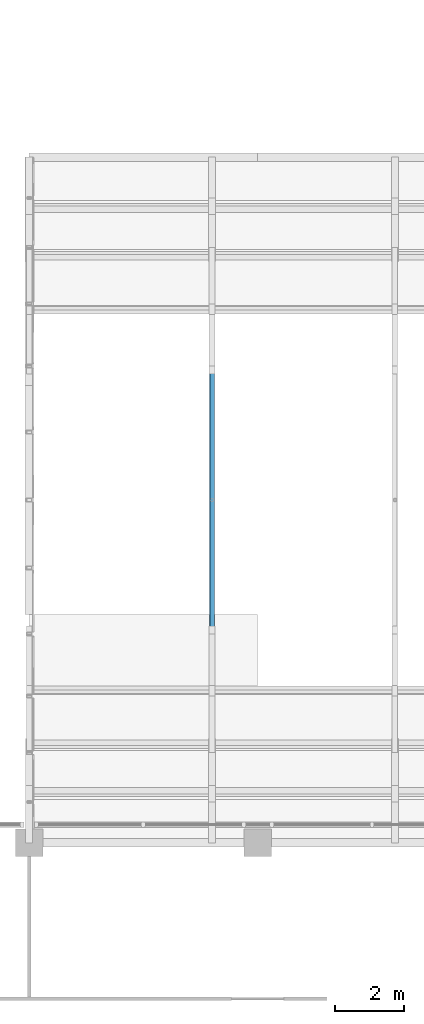
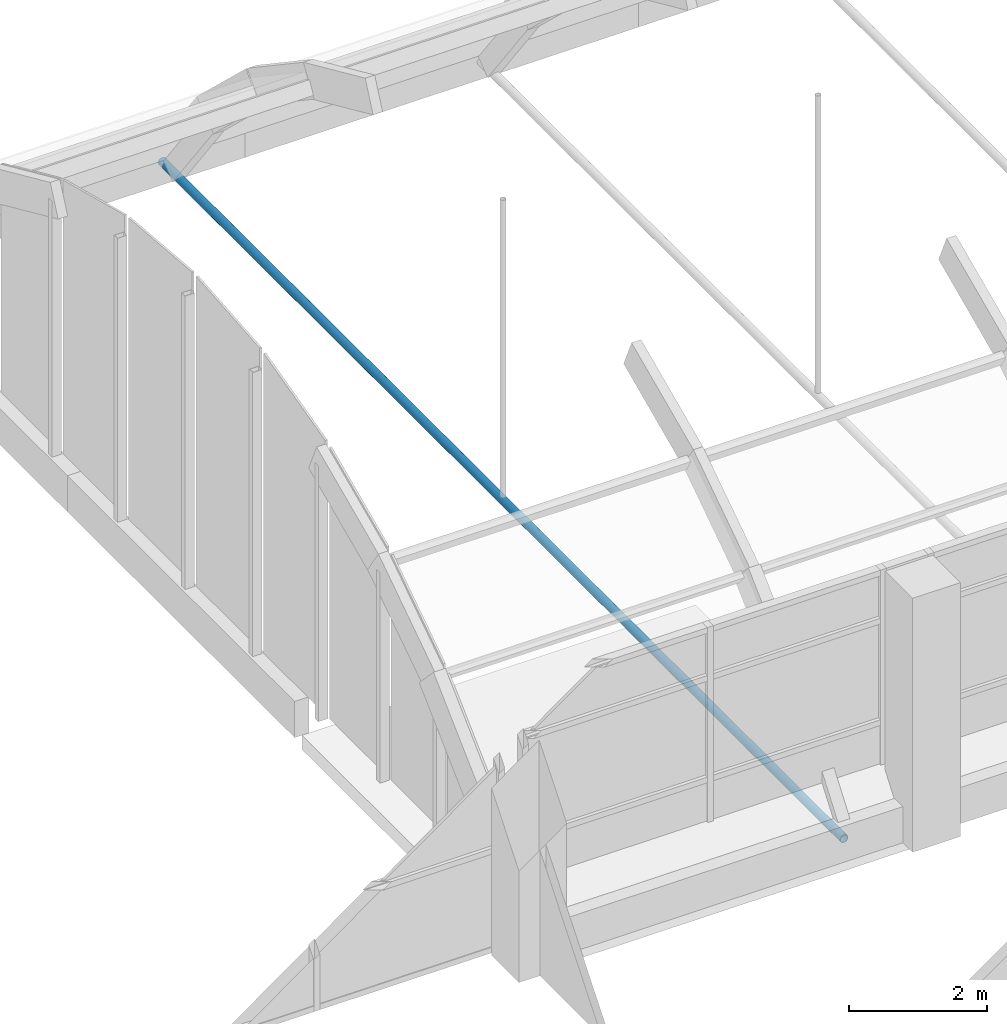
# One storey, part 18 of 102: 1 member.
"""IFC4 building model written with IfcOpenShell, lengths in metres."""

from ifc_helpers import new_model, si_unit, direction, frame, origin, origin_2d, place, context, subcontext, project, spatial, hollow_circle, extrude, material, material_profile, profile_set, type_object, element, save


model = new_model("IFC4")

# Units and contexts
model_context = context("Model", 3, precision=1e-05, world=origin(), true_north=direction((0.0, 1.0)))
body_context = subcontext(model_context, "Body", "Model", "MODEL_VIEW")
ifc_project = project(units=[si_unit("LENGTHUNIT", "METRE"), si_unit("AREAUNIT", "SQUARE_METRE"), si_unit("VOLUMEUNIT", "CUBIC_METRE"), si_unit("PLANEANGLEUNIT", "RADIAN"), si_unit("MASSUNIT", "GRAM", prefix="KILO")], contexts=[model_context])

# Site, building, storey
site_placement = place(None, origin())
site = spatial("IfcSite", under=ifc_project, at=site_placement, CompositionType="ELEMENT")
building_placement = place(site_placement, origin())
building = spatial("IfcBuilding", under=site, at=building_placement, Name="Lantern Court Research Institute", CompositionType="ELEMENT")
storey_placement = place(building_placement, frame((0.0, 0.0, 9.89990234375)))
storey = spatial("IfcBuildingStorey", under=building, at=storey_placement, Name="L02", CompositionType="ELEMENT", Elevation=9.89990234375)

# Member
ifc_material = material(Name="Structural steel S355", Category="steel")
ifc_material_profile = material_profile(ifc_material, hollow_circle(Radius=0.06982421875, WallThickness=0.008056640625, at=origin_2d()), Name="Gridshell tie CHS 139.7 x 8")
ifc_profile_set = profile_set([ifc_material_profile], Name="Structural steel S355")
member_type = type_object("IfcMemberType", Name="Gridshell tie CHS 139.7 x 8", PredefinedType="MEMBER", material=ifc_profile_set)
member_placement = place(storey_placement, frame((58.080078125, 56.10009765625, 0.320068359375), z_axis=(0.0, 1.0, 0.0), x_axis=(-1.0, 0.0, 0.0)))
element("IfcMember", 1, at=member_placement, inside=storey, type_object=member_type, Name="Theatre tie", PredefinedType="MEMBER", context=body_context, shape_type="SweptSolid", body=[
    extrude(hollow_circle(Radius=0.06982421875, WallThickness=0.008056640625, at=origin_2d()), origin(), (0.0, 0.0, 1.0), 19.7998046875),
])

save(model, "model.ifc")
